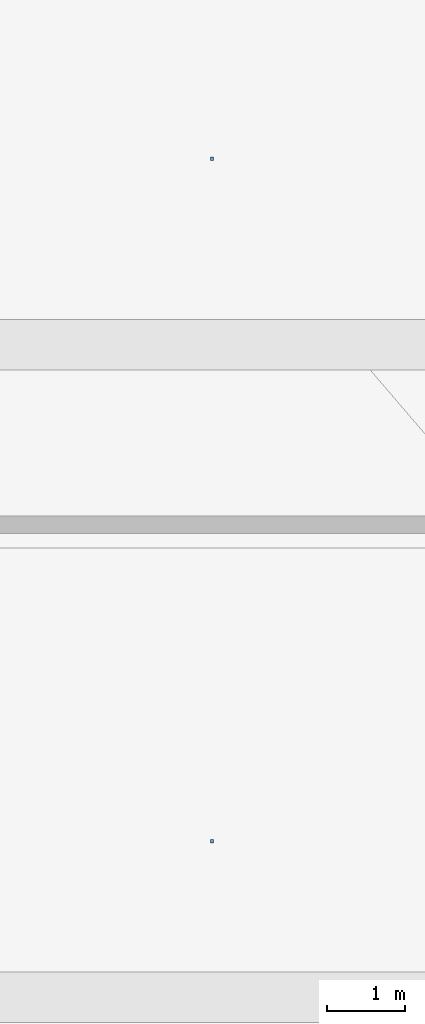
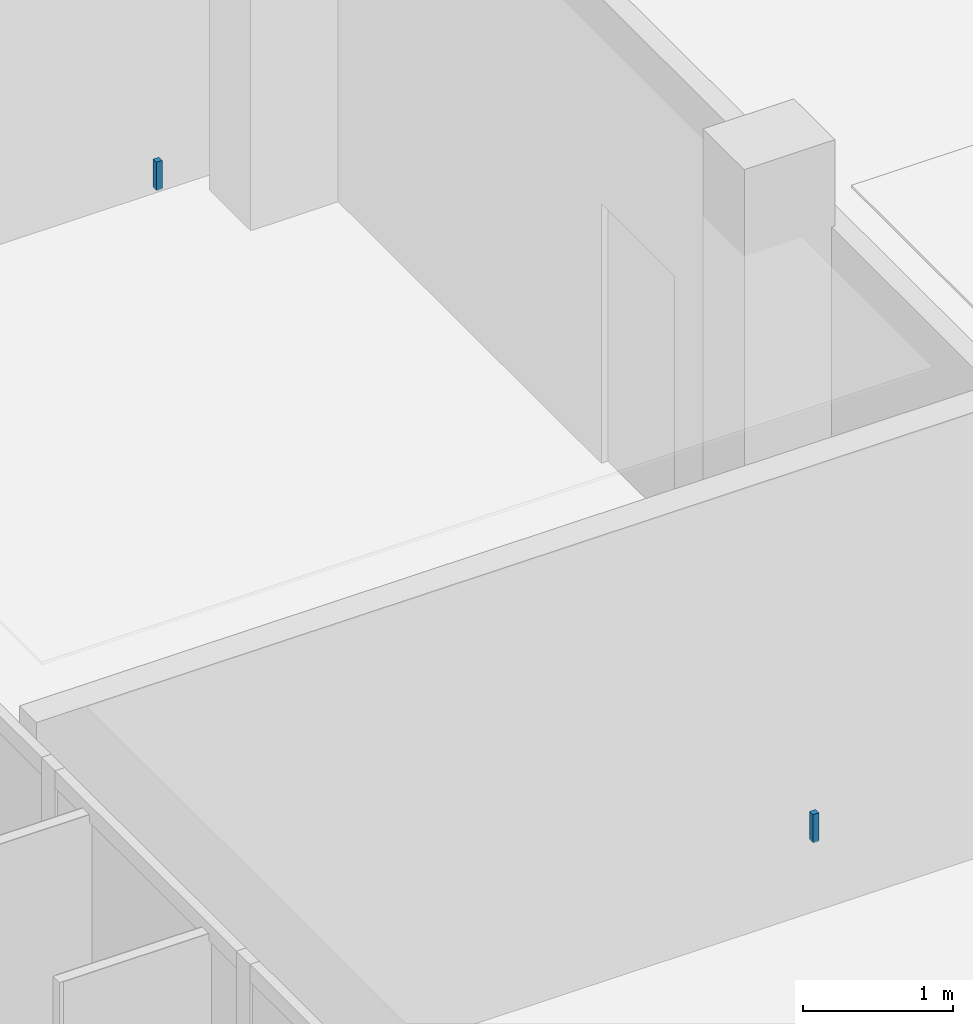
# One storey, part 70 of 95: 2 discrete accessories.
"""IFC4 building model written with IfcOpenShell, lengths in metres."""

from ifc_helpers import new_model, si_unit, derived_unit, direction, frame, origin, origin_2d, place, context, subcontext, project, spatial, rectangle, extrude, material, type_object, element, save


model = new_model("IFC4")

# Units and contexts
model_context = context("Model", 3, precision=1e-05, world=origin(), true_north=direction((0.0, 1.0)))
body_context = subcontext(model_context, "Body", "Model", "MODEL_VIEW")
ifc_project = project(units=[si_unit("LENGTHUNIT", "METRE"), si_unit("AREAUNIT", "SQUARE_METRE"), si_unit("VOLUMEUNIT", "CUBIC_METRE"), si_unit("PLANEANGLEUNIT", "RADIAN"), si_unit("MASSUNIT", "GRAM", prefix="KILO"), derived_unit("THERMALTRANSMITTANCEUNIT", [(si_unit("POWERUNIT", "WATT"), 1), (si_unit("LENGTHUNIT", "METRE"), -2), (si_unit("THERMODYNAMICTEMPERATUREUNIT", "KELVIN"), -1)])], contexts=[model_context])

# Site, building, storey
site_placement = place(None, origin())
site = spatial("IfcSite", under=ifc_project, at=site_placement, CompositionType="ELEMENT")
building_placement = place(site_placement, origin())
building = spatial("IfcBuilding", under=site, at=building_placement, Name="Braskholm Square Health Centre", CompositionType="ELEMENT")
storey_placement = place(building_placement, frame((0.0, 0.0, 4.800048828125)))
storey = spatial("IfcBuildingStorey", under=building, at=storey_placement, Name="L02", CompositionType="ELEMENT", Elevation=4.800048828125)

# Discrete accessories
ifc_material = material(Name="Steel ASTM A500 Grade C", Category="steel")
discrete_accessory_type = type_object("IfcDiscreteAccessoryType", Name="CeilingSuspensionBracket", PredefinedType="BRACKET", material=ifc_material)
for number, where, z_axis, x_axis, name in (
    (1, (8.06005859375, 74.2099609375, 3.781982421875), (0.0, 0.0, 1.0), (1.0, 0.0, 0.0), "Ceiling hanger bracket 0031"),
    (2, (8.06005859375, 82.989990234375, 3.781982421875), (0.0, 0.0, 1.0), (1.0, 0.0, 0.0), "Ceiling hanger bracket 0032"),
):
    element("IfcDiscreteAccessory", number, at=place(storey_placement, frame(where, z_axis=z_axis, x_axis=x_axis)), inside=storey, type_object=discrete_accessory_type, Name=name, PredefinedType="BRACKET", context=body_context, shape_type="SweptSolid", body=[
        extrude(rectangle(XDim=0.044921875, YDim=0.044921875, at=origin_2d()), origin(), (0.0, 0.0, 1.0), 0.22998046875),
    ])

save(model, "model.ifc")
